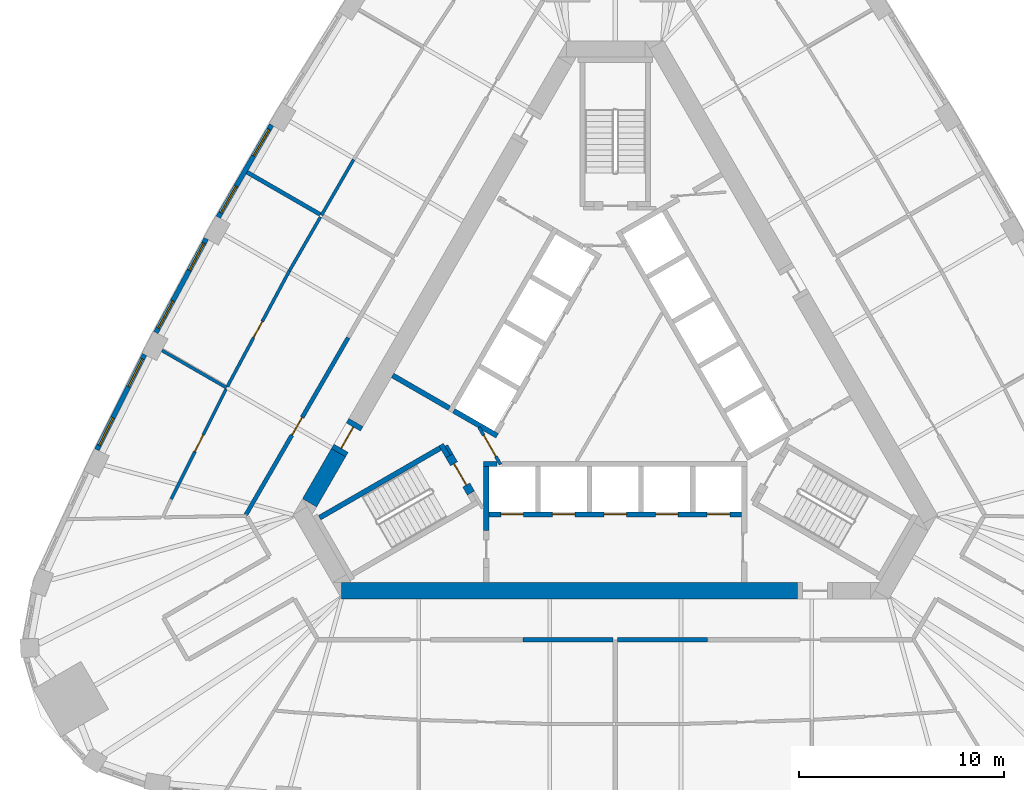
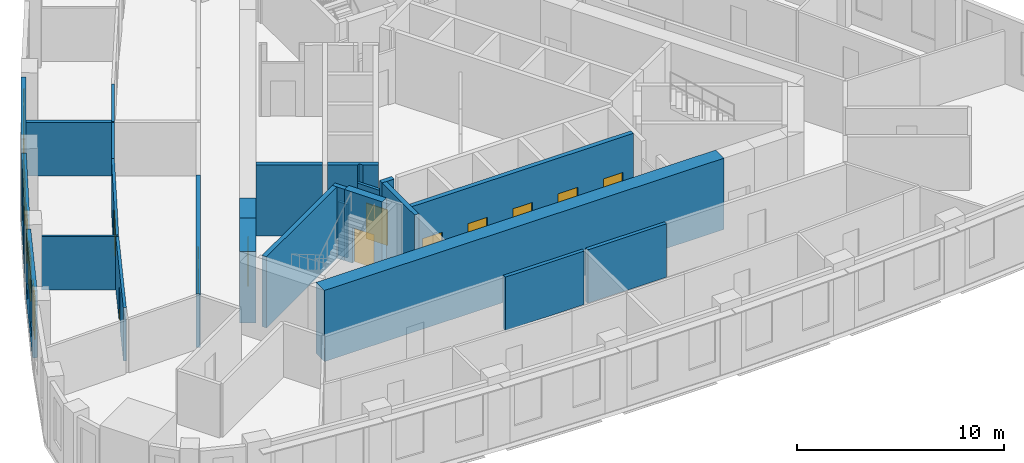
# One storey, part 4 of 10: 25 walls, 11 doors, 6 windows, 17 openings.
"""IFC4 building model written with IfcOpenShell, lengths in metres."""

import ifcopenshell
import ifcopenshell.guid

model = None  # the IFC model being written
_history = None  # IfcOwnerHistory: only IFC2X3 demands one
_inside = {}  # id of a spatial element -> (the spatial element, [elements in it])
_under = {}  # id of a project, library or spatial element -> (it, [spatial elements below it])
_declared = {}  # id of a project -> (the project, [libraries it declares])
_typed = {}  # id of a type object -> (the type object, [elements of that type])
_made_of = {}  # id of a material, layer set ... -> (it, [elements and type objects made of it])


def new_model(schema):
    """Start an empty IFC model of exactly this schema.

    Asked for "IFC4X3", IfcOpenShell would pick the latest addendum, in which some entities
    have other attributes; the version numbers below select the first issue.
    IFC2X3 requires an IfcOwnerHistory on every rooted entity: one is made here for all.
    """
    global model, _history
    if schema == "IFC4X3":
        model = ifcopenshell.file(schema_version=(4, 3, 0, 0))
    else:
        model = ifcopenshell.file(schema=schema)
    _inside.clear()
    _under.clear()
    _declared.clear()
    _typed.clear()
    _made_of.clear()
    _history = None
    if model.schema == "IFC2X3":
        org = make("IfcOrganization", Name="unknown")
        user = make(
            "IfcPersonAndOrganization",
            ThePerson=make("IfcPerson", FamilyName="unknown"),
            TheOrganization=org,
        )
        app = make(
            "IfcApplication",
            ApplicationDeveloper=org,
            Version="unknown",
            ApplicationFullName="unknown",
            ApplicationIdentifier="unknown",
        )
        _history = make(
            "IfcOwnerHistory",
            OwningUser=user,
            OwningApplication=app,
            ChangeAction="ADDED",
            CreationDate=0,
        )
    return model


def make(cls, **values):
    """One entity of the class cls with the attributes given. An attribute that is None is left unset."""
    return model.create_entity(
        cls, **{name: value for name, value in values.items() if value is not None}
    )


def rooted(cls, **values):
    """An entity with a GlobalId (a new one), such as an element, a storey or a relation."""
    return make(cls, GlobalId=ifcopenshell.guid.new(), OwnerHistory=_history, **values)


def si_unit(unit_type, name, prefix=None):
    """IfcSIUnit, for example si_unit("LENGTHUNIT", "METRE", prefix="MILLI")."""
    return make("IfcSIUnit", UnitType=unit_type, Prefix=prefix, Name=name)


def assignment(units):
    """IfcUnitAssignment: the units of a project."""
    return None if units is None else make("IfcUnitAssignment", Units=units)


def point(xyz):
    """IfcCartesianPoint."""
    return None if xyz is None else make("IfcCartesianPoint", Coordinates=xyz)


def direction(xyz):
    """IfcDirection."""
    return None if xyz is None else make("IfcDirection", DirectionRatios=xyz)


def frame(location, z_axis=None, x_axis=None):
    """IfcAxis2Placement3D, a coordinate frame: its origin and axes. An axis left out is left unset."""
    return make(
        "IfcAxis2Placement3D",
        Location=point(location),
        Axis=direction(z_axis),
        RefDirection=direction(x_axis),
    )


def frame_2d(location, x_axis=None):
    """IfcAxis2Placement2D, a coordinate frame in the plane: its origin and x axis."""
    return make(
        "IfcAxis2Placement2D", Location=point(location), RefDirection=direction(x_axis)
    )


def origin():
    """The frame at (0, 0, 0) with its axes left unset."""
    return frame((0.0, 0.0, 0.0))


def place(relative_to, where):
    """IfcLocalPlacement: puts the frame where relative to a parent placement (None: the world)."""
    return make(
        "IfcLocalPlacement", PlacementRelTo=relative_to, RelativePlacement=where
    )


def context(
    kind, dimensions, precision=None, world=None, true_north=None, identifier=None
):
    """IfcGeometricRepresentationContext, for example the 3D "Model" context."""
    return make(
        "IfcGeometricRepresentationContext",
        ContextIdentifier=identifier,
        ContextType=kind,
        CoordinateSpaceDimension=dimensions,
        Precision=precision,
        WorldCoordinateSystem=world,
        TrueNorth=true_north,
    )


def subcontext(parent, identifier, kind, view, scale=None):
    """IfcGeometricRepresentationSubContext, for example "Body" below "Model"."""
    return make(
        "IfcGeometricRepresentationSubContext",
        ContextIdentifier=identifier,
        ContextType=kind,
        ParentContext=parent,
        TargetScale=scale,
        TargetView=view,
    )


def project(units=None, contexts=None):
    """IfcProject with its units and contexts."""
    return rooted(
        "IfcProject",
        Name="project",
        RepresentationContexts=contexts,
        UnitsInContext=assignment(units),
    )


def spatial(cls, under=None, at=None, **own):
    """A site, building, storey or space (cls), placed at a placement, below another one or the project."""
    s = rooted(cls, ObjectPlacement=at, **own)
    if under is not None:
        _under.setdefault(under.id(), (under, []))[1].append(s)
    return s


def polyline(points):
    """IfcPolyline through the points."""
    return make("IfcPolyline", Points=[point(p) for p in points])


def profile(cls, at=None, kind="AREA", **sizes):
    """A parametric profile (cls). Its sizes go by their IFC names, for example OverallWidth=200.0."""
    return make(cls, ProfileType=kind, Position=at, **sizes)


def rectangle(**sizes):
    """IfcRectangleProfileDef."""
    return profile("IfcRectangleProfileDef", **sizes)


def outline(outer, holes=None, kind="AREA"):
    """IfcArbitraryClosedProfileDef: a profile drawn as a closed curve; with holes, ...WithVoids."""
    if holes is None:
        return make("IfcArbitraryClosedProfileDef", ProfileType=kind, OuterCurve=outer)
    return make(
        "IfcArbitraryProfileDefWithVoids",
        ProfileType=kind,
        OuterCurve=outer,
        InnerCurves=holes,
    )


def extrude(swept, where, along, depth):
    """IfcExtrudedAreaSolid: the profile swept, set in the frame where, extruded along a direction by depth."""
    return make(
        "IfcExtrudedAreaSolid",
        SweptArea=swept,
        Position=where,
        ExtrudedDirection=direction(along),
        Depth=depth,
    )


def shape(context_of_items, identifier, shape_type, items):
    """IfcShapeRepresentation: the items that make up one representation, for example the "Body"."""
    return make(
        "IfcShapeRepresentation",
        ContextOfItems=context_of_items,
        RepresentationIdentifier=identifier,
        RepresentationType=shape_type,
        Items=items,
    )


def material(Name=None, Category=None):
    """IfcMaterial."""
    return make("IfcMaterial", Name=Name, Category=Category)


def layer(
    of_material, thickness, ventilated=None, Name=None, Category=None, Priority=None
):
    """IfcMaterialLayer: one layer of a wall or slab, of a material (None: an air gap)."""
    return make(
        "IfcMaterialLayer",
        Material=of_material,
        LayerThickness=thickness,
        IsVentilated=ventilated,
        Name=Name,
        Category=Category,
        Priority=Priority,
    )


def layer_set(layers, Name=None):
    """IfcMaterialLayerSet."""
    return make("IfcMaterialLayerSet", MaterialLayers=layers, LayerSetName=Name)


def made_of(thing, what):
    """Note that an element or type object is made of a material, layer set ...; save() writes the relation."""
    if what is not None:
        _made_of.setdefault(what.id(), (what, []))[1].append(thing)
    return thing


def type_object(cls, material=None, **own):
    """A type object (cls), such as IfcWallType, which elements share."""
    return made_of(rooted(cls, **own), material)


def element(
    cls,
    number,
    at=None,
    inside=None,
    cuts=None,
    type_object=None,
    material=None,
    context=None,
    identifier="Body",
    shape_type=None,
    held_by="IfcProductDefinitionShape",
    body=None,
    shapes=None,
    **own,
):
    """One element of the class cls, such as IfcWall. Its Tag is "e" and its number.

    at: its placement. inside: the storey or other place that contains it. cuts: it is an
    opening in that element (IfcRelVoidsElement). A single representation is given by context,
    identifier, shape_type and body (its items); several are given by shapes. held_by: the class
    of the entity that holds the representations. save() writes the other relations.
    """
    e = rooted(cls, Tag="e%d" % number, ObjectPlacement=at, **own)
    if body is not None:
        shapes = [shape(context, identifier, shape_type, body)]
    if shapes is not None:
        e.Representation = make(held_by, Representations=shapes)
    if inside is not None:
        _inside.setdefault(inside.id(), (inside, []))[1].append(e)
    if cuts is not None:
        rooted(
            "IfcRelVoidsElement", RelatingBuildingElement=cuts, RelatedOpeningElement=e
        )
    if type_object is not None:
        _typed.setdefault(type_object.id(), (type_object, []))[1].append(e)
    return made_of(e, material)


def fill(opening, filler):
    """IfcRelFillsElement: the door or window that sits in an opening."""
    return rooted(
        "IfcRelFillsElement",
        RelatingOpeningElement=opening,
        RelatedBuildingElement=filler,
    )


def aggregate(whole, parts):
    """IfcRelAggregates: a whole, such as a stair, and the parts it consists of."""
    return rooted("IfcRelAggregates", RelatingObject=whole, RelatedObjects=parts)


def save(model, path):
    """Write the relations noted so far, then the file.

    IfcRelAggregates (storeys below a building ...), IfcRelContainedInSpatialStructure (elements
    in a storey), IfcRelDefinesByType, IfcRelAssociatesMaterial and IfcRelDeclares: one each for
    every whole, place, type object, material and project.
    """
    for whole, parts in _under.values():
        aggregate(whole, parts)
    for where, things in _inside.values():
        rooted(
            "IfcRelContainedInSpatialStructure",
            RelatedElements=things,
            RelatingStructure=where,
        )
    for kind, things in _typed.values():
        rooted("IfcRelDefinesByType", RelatedObjects=things, RelatingType=kind)
    for what, things in _made_of.values():
        rooted("IfcRelAssociatesMaterial", RelatedObjects=things, RelatingMaterial=what)
    for by, libraries in _declared.values():
        rooted("IfcRelDeclares", RelatingContext=by, RelatedDefinitions=libraries)
    model.write(path)


model = new_model("IFC4")

# Units and contexts
model_context = context("Model", 3, precision=1e-05, world=origin(), true_north=direction((0.0, 1.0)))
body_context = subcontext(model_context, "Body", "Model", "MODEL_VIEW")
ifc_project = project(units=[si_unit("LENGTHUNIT", "METRE"), si_unit("AREAUNIT", "SQUARE_METRE"), si_unit("VOLUMEUNIT", "CUBIC_METRE"), si_unit("PLANEANGLEUNIT", "RADIAN"), si_unit("MASSUNIT", "GRAM", prefix="KILO")], contexts=[model_context])

# Site, building, storey
site_placement = place(None, origin())
site = spatial("IfcSite", under=ifc_project, at=site_placement, CompositionType="ELEMENT")
building_placement = place(site_placement, origin())
building = spatial("IfcBuilding", under=site, at=building_placement, Name="Mestral Congress Tower", CompositionType="ELEMENT")
storey_placement = place(building_placement, frame((0.0, 0.0, 154.199951171875)))
storey = spatial("IfcBuildingStorey", under=building, at=storey_placement, Name="L36", CompositionType="ELEMENT", Elevation=154.199951171875)

# Wall
ifc_material_1 = material(Name="Fire-rated board partition")
ifc_layer_1 = layer(ifc_material_1, 0.14990234375)
ifc_layer_set_1 = layer_set([ifc_layer_1], Name="Fire-rated board partition")
wall_type_1 = type_object("IfcWallType", Name="Core partition 150", PredefinedType="PARTITIONING", material=ifc_layer_set_1)
wall_1_placement = place(storey_placement, frame((-8.251953125, -2.958251953125, 0.0), z_axis=(0.0, 0.0, 1.0), x_axis=(0.500174715838, -0.865924508047, 0.0)))
element("IfcWall", 1, at=wall_1_placement, inside=storey, type_object=wall_type_1, Name="L36 core wall", PredefinedType="PARTITIONING", context=body_context, shape_type="SweptSolid", body=[
    extrude(rectangle(XDim=0.513916015625, YDim=0.14990234375, at=frame_2d((0.2568359375, 0.0))), origin(), (0.0, 0.0, 1.0), 3.150146484375),
])

# Wall, opening, door
wall_2_placement = place(storey_placement, frame((-5.606201171875, -3.8896484375, 0.0), z_axis=(0.0, 0.0, 1.0), x_axis=(-0.500027713859, 0.866009402589, 0.0)))
wall_2 = element("IfcWall", 2, at=wall_2_placement, inside=storey, type_object=wall_type_1, Name="L36 door wall", PredefinedType="PARTITIONING", context=body_context, shape_type="SweptSolid", body=[
    extrude(rectangle(XDim=2.10009765625, YDim=0.14990234375, at=frame_2d((1.050048828125, 0.0))), origin(), (0.0, 0.0, 1.0), 3.150146484375),
])
opening_1_placement = place(wall_2_placement, frame((0.449951171875, 0.0, 0.0)))
opening_1 = element("IfcOpeningElement", 3, at=opening_1_placement, cuts=wall_2, Name="Opening CD3-FF", PredefinedType="OPENING", context=body_context, shape_type="SweptSolid", body=[
    extrude(rectangle(XDim=1.199951171875, YDim=2.10009765625, at=frame_2d((0.60009765625, 1.050048828125))), frame((0.0, 0.0849609375, 0.0), z_axis=(0.0, -1.0, 0.0), x_axis=(1.0, 0.0, 0.0)), (0.0, 0.0, 1.0), 0.169921875),
])
ifc_material_2 = material(Name="Fire-rated steel door set", Category="steel")
door_type_1 = type_object("IfcDoorType", Name="Core door CD 1200x2100", OperationType="SINGLE_SWING_LEFT", PredefinedType="DOOR", material=ifc_material_2)
door_1_placement = place(opening_1_placement, origin())
door_1 = element("IfcDoor", 4, at=door_1_placement, inside=storey, type_object=door_type_1, Name="Door CD3-FF", OperationType="SINGLE_SWING_LEFT", OverallHeight=2.10009765625, OverallWidth=1.199951171875, PredefinedType="DOOR", context=body_context, shape_type="SweptSolid", body=[
    extrude(rectangle(XDim=1.199951171875, YDim=2.10009765625, at=frame_2d((0.60009765625, 1.050048828125))), frame((0.0, 0.02490234375, 0.0), z_axis=(0.0, -1.0, 0.0), x_axis=(1.0, 0.0, 0.0)), (0.0, 0.0, 1.0), 0.050048828125),
])
fill(opening_1, door_1)

# Walls
ifc_material_3 = material(Name="Concrete C60/75", Category="concrete")
ifc_layer_2 = layer(ifc_material_3, 0.800048828125)
ifc_layer_set_2 = layer_set([ifc_layer_2], Name="Concrete C60/75")
wall_type_2 = type_object("IfcWallType", Name="Core wall RC 800", PredefinedType="SOLIDWALL", material=ifc_layer_set_2)
wall_3_placement = place(storey_placement, frame((-13.377685546875, -10.050048828125, 0.0), z_axis=(0.0, 0.0, 1.0), x_axis=(1.0, 0.0, 0.0)))
element("IfcWall", 5, at=wall_3_placement, inside=storey, type_object=wall_type_2, Name="L36 core wall", PredefinedType="SOLIDWALL", context=body_context, shape_type="SweptSolid", body=[
    extrude(rectangle(XDim=22.281982421875, YDim=0.800048828125, at=frame_2d((11.14111328125, 0.0))), origin(), (0.0, 0.0, 1.0), 4.199951171875),
])
wall_4_placement = place(storey_placement, frame((-13.518310546875, -3.314208984375, 0.0), z_axis=(0.0, 0.0, 1.0), x_axis=(-0.499969377405, -0.866043083026, 0.0)))
element("IfcWall", 6, at=wall_4_placement, inside=storey, type_object=wall_type_2, Name="L36 core wall", PredefinedType="SOLIDWALL", context=body_context, shape_type="SweptSolid", body=[
    extrude(rectangle(XDim=2.824462890625, YDim=0.800048828125, at=frame_2d((1.412109375, 0.0))), origin(), (0.0, 0.0, 1.0), 4.199951171875),
])

# Wall, opening, door
wall_5_placement = place(storey_placement, frame((-13.518310546875, -3.314208984375, 0.0), z_axis=(0.0, 0.0, 1.0), x_axis=(0.500062241894, 0.865989465428, 0.0)))
wall_5 = element("IfcWall", 7, at=wall_5_placement, inside=storey, type_object=wall_type_2, Name="L36 door wall", PredefinedType="SOLIDWALL", context=body_context, shape_type="SweptSolid", body=[
    extrude(rectangle(XDim=1.699951171875, YDim=0.800048828125, at=frame_2d((0.85009765625, 0.0))), origin(), (0.0, 0.0, 1.0), 4.199951171875),
])
opening_2_placement = place(wall_5_placement, frame((0.25, 0.0, 0.0)))
opening_2 = element("IfcOpeningElement", 8, at=opening_2_placement, cuts=wall_5, Name="Opening XD3", PredefinedType="OPENING", context=body_context, shape_type="SweptSolid", body=[
    extrude(rectangle(XDim=1.199951171875, YDim=2.10009765625, at=frame_2d((0.60009765625, 1.050048828125))), frame((0.0, 0.409912109375, 0.0), z_axis=(0.0, -1.0, 0.0), x_axis=(1.0, 0.0, 0.0)), (0.0, 0.0, 1.0), 0.820068359375),
])
door_type_2 = type_object("IfcDoorType", Name="Core door XD 1200x2100", OperationType="SINGLE_SWING_LEFT", PredefinedType="DOOR", material=ifc_material_2)
door_2_placement = place(opening_2_placement, origin())
door_2 = element("IfcDoor", 9, at=door_2_placement, inside=storey, type_object=door_type_2, Name="Door XD3", OperationType="SINGLE_SWING_LEFT", OverallHeight=2.10009765625, OverallWidth=1.199951171875, PredefinedType="DOOR", context=body_context, shape_type="SweptSolid", body=[
    extrude(rectangle(XDim=1.199951171875, YDim=2.10009765625, at=frame_2d((0.60009765625, 1.050048828125))), frame((0.0, 0.02490234375, 0.0), z_axis=(0.0, -1.0, 0.0), x_axis=(1.0, 0.0, 0.0)), (0.0, 0.0, 1.0), 0.050048828125),
])
fill(opening_2, door_2)

# Wall, openings, windows
ifc_material_4 = material(Name="Precast concrete C40/50 with limestone facing", Category="masonry")
ifc_layer_3 = layer(ifc_material_4, 0.239990234375)
ifc_layer_set_3 = layer_set([ifc_layer_3], Name="Precast concrete C40/50 with limestone facing")
wall_type_3 = type_object("IfcWallType", Name="Facade stone wall 240", PredefinedType="SOLIDWALL", material=ifc_layer_set_3)
wall_6_placement = place(storey_placement, frame((-16.788818359375, 12.697265625, 0.0), z_axis=(0.0, 0.0, 1.0), x_axis=(-0.500009456303, -0.866019944116, 0.0)))
wall_6 = element("IfcWall", 10, at=wall_6_placement, inside=storey, type_object=wall_type_3, Name="Facade wall F2-03", PredefinedType="SOLIDWALL", context=body_context, shape_type="SweptSolid", body=[
    extrude(rectangle(XDim=5.20361328125, YDim=0.239990234375, at=frame_2d((2.601806640625, 0.0))), origin(), (0.0, 0.0, 1.0), 3.949951171875),
])
opening_3_placement = place(wall_6_placement, frame((0.248291015625, 0.0, 0.89990234375)))
opening_3 = element("IfcOpeningElement", 11, at=opening_3_placement, cuts=wall_6, Name="Opening W4", PredefinedType="OPENING", context=body_context, shape_type="SweptSolid", body=[
    extrude(rectangle(XDim=1.5, YDim=2.550048828125, at=frame_2d((0.75, 1.27490234375))), frame((0.0, 0.1298828125, 0.0), z_axis=(0.0, -1.0, 0.0), x_axis=(1.0, 0.0, 0.0)), (0.0, 0.0, 1.0), 0.260009765625),
])
opening_4_placement = place(wall_6_placement, frame((3.455078125, 0.0, 0.89990234375)))
opening_4 = element("IfcOpeningElement", 12, at=opening_4_placement, cuts=wall_6, Name="Opening W4", PredefinedType="OPENING", context=body_context, shape_type="SweptSolid", body=[
    extrude(rectangle(XDim=1.5, YDim=2.550048828125, at=frame_2d((0.75, 1.27490234375))), frame((0.0, 0.1298828125, 0.0), z_axis=(0.0, -1.0, 0.0), x_axis=(1.0, 0.0, 0.0)), (0.0, 0.0, 1.0), 0.260009765625),
])
ifc_material_5 = material(Name="Clear low-emissivity double glazing", Category="glass")
window_type = type_object("IfcWindowType", Name="Facade punched window 1500 x 2550 sill 900", PartitioningType="SINGLE_PANEL", PredefinedType="WINDOW", material=ifc_material_5)
window_1_placement = place(opening_3_placement, origin())
window_1 = element("IfcWindow", 13, at=window_1_placement, inside=storey, type_object=window_type, Name="Window F2-03a", OverallHeight=2.550048828125, OverallWidth=1.5, PartitioningType="SINGLE_PANEL", PredefinedType="WINDOW", context=body_context, shape_type="SweptSolid", body=[
    extrude(rectangle(XDim=1.5, YDim=2.550048828125, at=frame_2d((0.75, 1.27490234375))), frame((0.0, 0.0400390625, 0.0), z_axis=(0.0, -1.0, 0.0), x_axis=(1.0, 0.0, 0.0)), (0.0, 0.0, 1.0), 0.06005859375),
])
fill(opening_3, window_1)
window_2_placement = place(opening_4_placement, origin())
window_2 = element("IfcWindow", 14, at=window_2_placement, inside=storey, type_object=window_type, Name="Window F2-03b", OverallHeight=2.550048828125, OverallWidth=1.5, PartitioningType="SINGLE_PANEL", PredefinedType="WINDOW", context=body_context, shape_type="SweptSolid", body=[
    extrude(rectangle(XDim=1.5, YDim=2.550048828125, at=frame_2d((0.75, 1.27490234375))), frame((0.0, 0.0400390625, 0.0), z_axis=(0.0, -1.0, 0.0), x_axis=(1.0, 0.0, 0.0)), (0.0, 0.0, 1.0), 0.06005859375),
])
fill(opening_4, window_2)

wall_7_placement = place(storey_placement, frame((-19.976806640625, 7.138671875, 0.0), z_axis=(0.0, 0.0, 1.0), x_axis=(-0.473349833294, -0.880874528704, 0.0)))
wall_7 = element("IfcWall", 15, at=wall_7_placement, inside=storey, type_object=wall_type_3, Name="Facade wall F2-04", PredefinedType="SOLIDWALL", context=body_context, shape_type="SweptSolid", body=[
    extrude(rectangle(XDim=5.20361328125, YDim=0.239990234375, at=frame_2d((2.601806640625, 0.0))), origin(), (0.0, 0.0, 1.0), 3.949951171875),
])
opening_5_placement = place(wall_7_placement, frame((0.248291015625, 0.0, 0.89990234375)))
opening_5 = element("IfcOpeningElement", 16, at=opening_5_placement, cuts=wall_7, Name="Opening W4", PredefinedType="OPENING", context=body_context, shape_type="SweptSolid", body=[
    extrude(rectangle(XDim=1.5, YDim=2.550048828125, at=frame_2d((0.75, 1.27490234375))), frame((0.0, 0.1298828125, 0.0), z_axis=(0.0, -1.0, 0.0), x_axis=(1.0, 0.0, 0.0)), (0.0, 0.0, 1.0), 0.260009765625),
])
opening_6_placement = place(wall_7_placement, frame((3.455078125, 0.0, 0.89990234375)))
opening_6 = element("IfcOpeningElement", 17, at=opening_6_placement, cuts=wall_7, Name="Opening W4", PredefinedType="OPENING", context=body_context, shape_type="SweptSolid", body=[
    extrude(rectangle(XDim=1.5, YDim=2.550048828125, at=frame_2d((0.75, 1.27490234375))), frame((0.0, 0.1298828125, 0.0), z_axis=(0.0, -1.0, 0.0), x_axis=(1.0, 0.0, 0.0)), (0.0, 0.0, 1.0), 0.260009765625),
])
window_3_placement = place(opening_5_placement, origin())
window_3 = element("IfcWindow", 18, at=window_3_placement, inside=storey, type_object=window_type, Name="Window F2-04a", OverallHeight=2.550048828125, OverallWidth=1.5, PartitioningType="SINGLE_PANEL", PredefinedType="WINDOW", context=body_context, shape_type="SweptSolid", body=[
    extrude(rectangle(XDim=1.5, YDim=2.550048828125, at=frame_2d((0.75, 1.27490234375))), frame((0.0, 0.0400390625, 0.0), z_axis=(0.0, -1.0, 0.0), x_axis=(1.0, 0.0, 0.0)), (0.0, 0.0, 1.0), 0.06005859375),
])
fill(opening_5, window_3)
window_4_placement = place(opening_6_placement, origin())
window_4 = element("IfcWindow", 19, at=window_4_placement, inside=storey, type_object=window_type, Name="Window F2-04b", OverallHeight=2.550048828125, OverallWidth=1.5, PartitioningType="SINGLE_PANEL", PredefinedType="WINDOW", context=body_context, shape_type="SweptSolid", body=[
    extrude(rectangle(XDim=1.5, YDim=2.550048828125, at=frame_2d((0.75, 1.27490234375))), frame((0.0, 0.0400390625, 0.0), z_axis=(0.0, -1.0, 0.0), x_axis=(1.0, 0.0, 0.0)), (0.0, 0.0, 1.0), 0.06005859375),
])
fill(opening_6, window_4)

wall_8_placement = place(storey_placement, frame((-22.993896484375, 1.485107421875, 0.0), z_axis=(0.0, 0.0, 1.0), x_axis=(-0.446256171312, -0.8949052629, 0.0)))
wall_8 = element("IfcWall", 20, at=wall_8_placement, inside=storey, type_object=wall_type_3, Name="Facade wall F2-05", PredefinedType="SOLIDWALL", context=body_context, shape_type="SweptSolid", body=[
    extrude(rectangle(XDim=5.203369140625, YDim=0.239990234375, at=frame_2d((2.6015625, 0.0))), origin(), (0.0, 0.0, 1.0), 3.949951171875),
])
opening_7_placement = place(wall_8_placement, frame((0.248291015625, 0.0, 0.89990234375)))
opening_7 = element("IfcOpeningElement", 21, at=opening_7_placement, cuts=wall_8, Name="Opening W4", PredefinedType="OPENING", context=body_context, shape_type="SweptSolid", body=[
    extrude(rectangle(XDim=1.5, YDim=2.550048828125, at=frame_2d((0.75, 1.27490234375))), frame((0.0, 0.1298828125, 0.0), z_axis=(0.0, -1.0, 0.0), x_axis=(1.0, 0.0, 0.0)), (0.0, 0.0, 1.0), 0.260009765625),
])
opening_8_placement = place(wall_8_placement, frame((3.455078125, 0.0, 0.89990234375)))
opening_8 = element("IfcOpeningElement", 22, at=opening_8_placement, cuts=wall_8, Name="Opening W4", PredefinedType="OPENING", context=body_context, shape_type="SweptSolid", body=[
    extrude(rectangle(XDim=1.5, YDim=2.550048828125, at=frame_2d((0.75, 1.27490234375))), frame((0.0, 0.1298828125, 0.0), z_axis=(0.0, -1.0, 0.0), x_axis=(1.0, 0.0, 0.0)), (0.0, 0.0, 1.0), 0.260009765625),
])
window_5_placement = place(opening_7_placement, origin())
window_5 = element("IfcWindow", 23, at=window_5_placement, inside=storey, type_object=window_type, Name="Window F2-05a", OverallHeight=2.550048828125, OverallWidth=1.5, PartitioningType="SINGLE_PANEL", PredefinedType="WINDOW", context=body_context, shape_type="SweptSolid", body=[
    extrude(rectangle(XDim=1.5, YDim=2.550048828125, at=frame_2d((0.75, 1.27490234375))), frame((0.0, 0.0400390625, 0.0), z_axis=(0.0, -1.0, 0.0), x_axis=(1.0, 0.0, 0.0)), (0.0, 0.0, 1.0), 0.06005859375),
])
fill(opening_7, window_5)
window_6_placement = place(opening_8_placement, origin())
window_6 = element("IfcWindow", 24, at=window_6_placement, inside=storey, type_object=window_type, Name="Window F2-05b", OverallHeight=2.550048828125, OverallWidth=1.5, PartitioningType="SINGLE_PANEL", PredefinedType="WINDOW", context=body_context, shape_type="SweptSolid", body=[
    extrude(rectangle(XDim=1.5, YDim=2.550048828125, at=frame_2d((0.75, 1.27490234375))), frame((0.0, 0.0400390625, 0.0), z_axis=(0.0, -1.0, 0.0), x_axis=(1.0, 0.0, 0.0)), (0.0, 0.0, 1.0), 0.06005859375),
])
fill(opening_8, window_6)

# Walls
ifc_material_6 = material(Name="Plasterboard partition on steel studs", Category="steel")
ifc_layer_4 = layer(ifc_material_6, 0.14990234375)
ifc_layer_set_4 = layer_set([ifc_layer_4], Name="Plasterboard partition on steel studs")
wall_type_4 = type_object("IfcWallType", Name="Office partition 150", PredefinedType="PARTITIONING", material=ifc_layer_set_4)
wall_9_placement = place(storey_placement, frame((-12.779296875, 11.001953125, 0.0), z_axis=(0.0, 0.0, 1.0), x_axis=(-0.499996312652, -0.866027532665, 0.0)))
element("IfcWall", 25, at=wall_9_placement, inside=storey, type_object=wall_type_4, Name="Partition", PredefinedType="PARTITIONING", context=body_context, shape_type="SweptSolid", body=[
    extrude(rectangle(XDim=3.13818359375, YDim=0.14990234375, at=frame_2d((1.569091796875, 0.0))), origin(), (0.0, 0.0, 1.0), 3.150146484375),
])
wall_10_placement = place(storey_placement, frame((-18.980224609375, -0.146728515625, 0.0), z_axis=(0.0, 0.0, 1.0), x_axis=(-0.866035116605, 0.499983176524, 0.0)))
element("IfcWall", 26, at=wall_10_placement, inside=storey, type_object=wall_type_4, Name="Partition", PredefinedType="PARTITIONING", context=body_context, shape_type="SweptSolid", body=[
    extrude(rectangle(XDim=3.647705078125, YDim=0.14990234375, at=frame_2d((1.82373046875, 0.0))), origin(), (0.0, 0.0, 1.0), 3.150146484375),
])
wall_11_placement = place(storey_placement, frame((-14.3984375, 8.197509765625, 0.0), z_axis=(0.0, 0.0, 1.0), x_axis=(-0.499993740961, -0.866029017412, 0.0)))
element("IfcWall", 27, at=wall_11_placement, inside=storey, type_object=wall_type_4, Name="Partition", PredefinedType="PARTITIONING", context=body_context, shape_type="SweptSolid", body=[
    extrude(rectangle(XDim=3.0380859375, YDim=0.14990234375, at=frame_2d((1.51904296875, 0.0))), origin(), (0.0, 0.0, 1.0), 3.150146484375),
])

# Wall, opening, door
wall_12_placement = place(storey_placement, frame((-18.94482421875, -0.08056640625, 0.0), z_axis=(0.0, 0.0, 1.0), x_axis=(0.472485737981, 0.881338316088, 0.0)))
wall_12 = element("IfcWall", 28, at=wall_12_placement, inside=storey, type_object=wall_type_4, Name="Partition", PredefinedType="PARTITIONING", context=body_context, shape_type="SweptSolid", body=[
    extrude(rectangle(XDim=6.4072265625, YDim=0.14990234375, at=frame_2d((3.20361328125, 0.0))), origin(), (0.0, 0.0, 1.0), 3.150146484375),
])
opening_9_placement = place(wall_12_placement, frame((2.70703125, 0.0, 0.0)))
opening_9 = element("IfcOpeningElement", 29, at=opening_9_placement, cuts=wall_12, Name="Opening O02-015", PredefinedType="OPENING", context=body_context, shape_type="SweptSolid", body=[
    extrude(rectangle(XDim=0.89990234375, YDim=2.10009765625, at=frame_2d((0.449951171875, 1.050048828125))), frame((0.0, 0.0849609375, 0.0), z_axis=(0.0, -1.0, 0.0), x_axis=(1.0, 0.0, 0.0)), (0.0, 0.0, 1.0), 0.169921875),
])
ifc_material_7 = material(Name="Timber door set", Category="wood")
door_type_3 = type_object("IfcDoorType", Name="Office door 900x2100", OperationType="SINGLE_SWING_LEFT", PredefinedType="DOOR", material=ifc_material_7)
door_3_placement = place(opening_9_placement, origin())
door_3 = element("IfcDoor", 30, at=door_3_placement, inside=storey, type_object=door_type_3, Name="Door O02-015", OperationType="SINGLE_SWING_LEFT", OverallHeight=2.10009765625, OverallWidth=0.89990234375, PredefinedType="DOOR", context=body_context, shape_type="SweptSolid", body=[
    extrude(rectangle(XDim=0.89990234375, YDim=2.10009765625, at=frame_2d((0.449951171875, 1.050048828125))), frame((0.0, 0.02490234375, 0.0), z_axis=(0.0, -1.0, 0.0), x_axis=(1.0, 0.0, 0.0)), (0.0, 0.0, 1.0), 0.050048828125),
])
fill(opening_9, door_3)

wall_13_placement = place(storey_placement, frame((-21.689208984375, -5.579345703125, 0.0), z_axis=(0.0, 0.0, 1.0), x_axis=(0.446219729364, 0.894923434225, 0.0)))
wall_13 = element("IfcWall", 31, at=wall_13_placement, inside=storey, type_object=wall_type_4, Name="Partition", PredefinedType="PARTITIONING", context=body_context, shape_type="SweptSolid", body=[
    extrude(rectangle(XDim=5.995361328125, YDim=0.14990234375, at=frame_2d((2.99755859375, 0.0))), origin(), (0.0, 0.0, 1.0), 3.150146484375),
])
opening_10_placement = place(wall_13_placement, frame((2.595458984375, 0.0, 0.0)))
opening_10 = element("IfcOpeningElement", 32, at=opening_10_placement, cuts=wall_13, Name="Opening O02-016", PredefinedType="OPENING", context=body_context, shape_type="SweptSolid", body=[
    extrude(rectangle(XDim=0.89990234375, YDim=2.10009765625, at=frame_2d((0.449951171875, 1.050048828125))), frame((0.0, 0.0849609375, 0.0), z_axis=(0.0, -1.0, 0.0), x_axis=(1.0, 0.0, 0.0)), (0.0, 0.0, 1.0), 0.169921875),
])
door_4_placement = place(opening_10_placement, origin())
door_4 = element("IfcDoor", 33, at=door_4_placement, inside=storey, type_object=door_type_3, Name="Door O02-016", OperationType="SINGLE_SWING_RIGHT", OverallHeight=2.10009765625, OverallWidth=0.89990234375, PredefinedType="DOOR", context=body_context, shape_type="SweptSolid", body=[
    extrude(rectangle(XDim=0.89990234375, YDim=2.10009765625, at=frame_2d((0.449951171875, 1.050048828125))), frame((0.0, 0.02490234375, 0.0), z_axis=(0.0, -1.0, 0.0), x_axis=(1.0, 0.0, 0.0)), (0.0, 0.0, 1.0), 0.050048828125),
])
fill(opening_10, door_4)

# Walls
ifc_material_8 = material(Name="Dense masonry wall, plastered", Category="masonry")
ifc_layer_5 = layer(ifc_material_8, 0.199951171875)
ifc_layer_set_5 = layer_set([ifc_layer_5], Name="Dense masonry wall, plastered")
wall_type_5 = type_object("IfcWallType", Name="Office tenancy wall 200", PredefinedType="PARTITIONING", material=ifc_layer_set_5)
wall_14_placement = place(storey_placement, frame((0.10009765625, -12.449951171875, 0.0), z_axis=(0.0, 0.0, 1.0), x_axis=(1.0, 0.0, 0.0)))
element("IfcWall", 34, at=wall_14_placement, inside=storey, type_object=wall_type_5, Name="Tenancy wall", PredefinedType="PARTITIONING", context=body_context, shape_type="SweptSolid", body=[
    extrude(rectangle(XDim=4.39990234375, YDim=0.199951171875, at=frame_2d((2.199951171875, 0.0))), origin(), (0.0, 0.0, 1.0), 3.150146484375),
])
wall_15_placement = place(storey_placement, frame((-14.413330078125, 8.321533203125, 0.0), z_axis=(0.0, 0.0, 1.0), x_axis=(-0.866034795751, 0.499983732284, 0.0)))
element("IfcWall", 35, at=wall_15_placement, inside=storey, type_object=wall_type_5, Name="Tenancy wall", PredefinedType="PARTITIONING", context=body_context, shape_type="SweptSolid", body=[
    extrude(rectangle(XDim=4.125244140625, YDim=0.199951171875, at=frame_2d((2.0625, 0.0))), origin(), (0.0, 0.0, 1.0), 3.150146484375),
])

# Wall, opening, door
wall_16_placement = place(storey_placement, frame((-13.047119140625, 2.302001953125, 0.0), z_axis=(0.0, 0.0, 1.0), x_axis=(-0.499986873641, -0.866032982159, 0.0)))
wall_16 = element("IfcWall", 36, at=wall_16_placement, inside=storey, type_object=wall_type_5, Name="Tenancy wall", PredefinedType="PARTITIONING", context=body_context, shape_type="SweptSolid", body=[
    extrude(rectangle(XDim=9.990478515625, YDim=0.199951171875, at=frame_2d((4.9951171875, 0.0))), origin(), (0.0, 0.0, 1.0), 3.150146484375),
])
opening_11_placement = place(wall_16_placement, frame((4.5, 0.0, 0.0)))
opening_11 = element("IfcOpeningElement", 37, at=opening_11_placement, cuts=wall_16, Name="Opening O02-017", PredefinedType="OPENING", context=body_context, shape_type="SweptSolid", body=[
    extrude(rectangle(XDim=1.0, YDim=2.10009765625, at=frame_2d((0.5, 1.050048828125))), frame((0.0, 0.10986328125, 0.0), z_axis=(0.0, -1.0, 0.0), x_axis=(1.0, 0.0, 0.0)), (0.0, 0.0, 1.0), 0.219970703125),
])
ifc_material_9 = material(Name="Fire-rated timber door set", Category="wood")
door_type_4 = type_object("IfcDoorType", Name="Office tenancy entrance door 1000x2100", OperationType="SINGLE_SWING_LEFT", PredefinedType="DOOR", material=ifc_material_9)
door_5_placement = place(opening_11_placement, origin())
door_5 = element("IfcDoor", 38, at=door_5_placement, inside=storey, type_object=door_type_4, Name="Door O02-017", OperationType="SINGLE_SWING_RIGHT", OverallHeight=2.10009765625, OverallWidth=1.0, PredefinedType="DOOR", context=body_context, shape_type="SweptSolid", body=[
    extrude(rectangle(XDim=1.0, YDim=2.10009765625, at=frame_2d((0.5, 1.050048828125))), frame((0.0, 0.02490234375, 0.0), z_axis=(0.0, -1.0, 0.0), x_axis=(1.0, 0.0, 0.0)), (0.0, 0.0, 1.0), 0.050048828125),
])
fill(opening_11, door_5)

# Walls
wall_17_placement = place(storey_placement, frame((-4.5, -12.449951171875, 0.0), z_axis=(0.0, 0.0, 1.0), x_axis=(1.0, 0.0, 0.0)))
element("IfcWall", 39, at=wall_17_placement, inside=storey, type_object=wall_type_5, Name="Tenancy wall", PredefinedType="PARTITIONING", context=body_context, shape_type="SweptSolid", body=[
    extrude(rectangle(XDim=4.39990234375, YDim=0.199951171875, at=frame_2d((2.199951171875, 0.0))), origin(), (0.0, 0.0, 1.0), 3.150146484375),
])
ifc_layer_6 = layer(ifc_material_3, 0.25)
ifc_layer_set_6 = layer_set([ifc_layer_6], Name="Concrete C60/75")
wall_type_6 = type_object("IfcWallType", Name="Shaft wall RC 250", PredefinedType="SOLIDWALL", material=ifc_layer_set_6)
wall_18_placement = place(storey_placement, frame((-6.425048828125, -3.875, 0.0), z_axis=(0.0, 0.0, 1.0), x_axis=(1.0, 0.0, 0.0)))
element("IfcWall", 40, at=wall_18_placement, inside=storey, type_object=wall_type_6, Name="L36 core wall", PredefinedType="SOLIDWALL", context=body_context, shape_type="SweptSolid", body=[
    extrude(rectangle(XDim=0.657958984375, YDim=0.25, at=frame_2d((0.3291015625, 0.0))), origin(), (0.0, 0.0, 1.0), 4.199951171875),
])
wall_19_placement = place(storey_placement, frame((-6.300048828125, -7.12451171875, 0.0), z_axis=(0.0, 0.0, 1.0), x_axis=(0.0, 1.0, 0.0)))
element("IfcWall", 41, at=wall_19_placement, inside=storey, type_object=wall_type_6, Name="L36 core wall", PredefinedType="SOLIDWALL", context=body_context, shape_type="SweptSolid", body=[
    extrude(rectangle(XDim=3.12451171875, YDim=0.25, at=frame_2d((1.562255859375, 0.0))), origin(), (0.0, 0.0, 1.0), 4.199951171875),
])
wall_20_placement = place(storey_placement, origin())
element("IfcWall", 42, at=wall_20_placement, inside=storey, type_object=wall_type_6, Name="L36 core wall", PredefinedType="SOLIDWALL", context=body_context, shape_type="SweptSolid", body=[
    extrude(outline(polyline([(-5.921630859375, -2.256591796875), (-5.921630859375, -2.256591796875), (-5.705078125, -2.381591796875), (-5.830078125, -2.597900390625), (-6.48291015625, -2.22119140625), (-6.59130859375, -2.033447265625), (-6.59130859375, -2.033447265625), (-6.69970703125, -2.095947265625), (-7.951904296875, -1.373046875), (-7.826904296875, -1.156494140625), (-5.921630859375, -2.256591796875)])), origin(), (0.0, 0.0, 1.0), 4.199951171875),
])
wall_21_placement = place(storey_placement, frame((-8.10595703125, -1.139892578125, 0.0), z_axis=(0.0, 0.0, 1.0), x_axis=(-0.866008981251, 0.500028443584, 0.0)))
element("IfcWall", 43, at=wall_21_placement, inside=storey, type_object=wall_type_6, Name="L36 core wall", PredefinedType="SOLIDWALL", context=body_context, shape_type="SweptSolid", body=[
    extrude(rectangle(XDim=3.199951171875, YDim=0.25, at=frame_2d((1.60009765625, 0.0))), origin(), (0.0, 0.0, 1.0), 4.199951171875),
])

# Wall, openings, doors
wall_22_placement = place(storey_placement, frame((-6.175048828125, -6.324951171875, 0.0), z_axis=(0.0, 0.0, 1.0), x_axis=(1.0, 0.0, 0.0)))
wall_22 = element("IfcWall", 44, at=wall_22_placement, inside=storey, type_object=wall_type_6, Name="L36 door wall", PredefinedType="SOLIDWALL", context=body_context, shape_type="SweptSolid", body=[
    extrude(rectangle(XDim=12.35009765625, YDim=0.25, at=frame_2d((6.175048828125, 0.0))), origin(), (0.0, 0.0, 1.0), 4.199951171875),
])
opening_12_placement = place(wall_22_placement, frame((0.5849609375, 0.0, 0.0)))
opening_12 = element("IfcOpeningElement", 45, at=opening_12_placement, cuts=wall_22, Name="Opening LD-SOB1", PredefinedType="OPENING", context=body_context, shape_type="SweptSolid", body=[
    extrude(rectangle(XDim=1.10009765625, YDim=2.10009765625, at=frame_2d((0.550048828125, 1.050048828125))), frame((0.0, 0.135009765625, 0.0), z_axis=(0.0, -1.0, 0.0), x_axis=(1.0, 0.0, 0.0)), (0.0, 0.0, 1.0), 0.27001953125),
])
opening_13_placement = place(wall_22_placement, frame((3.10498046875, 0.0, 0.0)))
opening_13 = element("IfcOpeningElement", 46, at=opening_13_placement, cuts=wall_22, Name="Opening LD-SOB2", PredefinedType="OPENING", context=body_context, shape_type="SweptSolid", body=[
    extrude(rectangle(XDim=1.10009765625, YDim=2.10009765625, at=frame_2d((0.550048828125, 1.050048828125))), frame((0.0, 0.135009765625, 0.0), z_axis=(0.0, -1.0, 0.0), x_axis=(1.0, 0.0, 0.0)), (0.0, 0.0, 1.0), 0.27001953125),
])
opening_14_placement = place(wall_22_placement, frame((5.625, 0.0, 0.0)))
opening_14 = element("IfcOpeningElement", 47, at=opening_14_placement, cuts=wall_22, Name="Opening LD-SOB3", PredefinedType="OPENING", context=body_context, shape_type="SweptSolid", body=[
    extrude(rectangle(XDim=1.10009765625, YDim=2.10009765625, at=frame_2d((0.550048828125, 1.050048828125))), frame((0.0, 0.135009765625, 0.0), z_axis=(0.0, -1.0, 0.0), x_axis=(1.0, 0.0, 0.0)), (0.0, 0.0, 1.0), 0.27001953125),
])
opening_15_placement = place(wall_22_placement, frame((8.14501953125, 0.0, 0.0)))
opening_15 = element("IfcOpeningElement", 48, at=opening_15_placement, cuts=wall_22, Name="Opening LD-SOB4", PredefinedType="OPENING", context=body_context, shape_type="SweptSolid", body=[
    extrude(rectangle(XDim=1.10009765625, YDim=2.10009765625, at=frame_2d((0.550048828125, 1.050048828125))), frame((0.0, 0.135009765625, 0.0), z_axis=(0.0, -1.0, 0.0), x_axis=(1.0, 0.0, 0.0)), (0.0, 0.0, 1.0), 0.27001953125),
])
opening_16_placement = place(wall_22_placement, frame((10.6650390625, 0.0, 0.0)))
opening_16 = element("IfcOpeningElement", 49, at=opening_16_placement, cuts=wall_22, Name="Opening LD-SOB5", PredefinedType="OPENING", context=body_context, shape_type="SweptSolid", body=[
    extrude(rectangle(XDim=1.10009765625, YDim=2.10009765625, at=frame_2d((0.550048828125, 1.050048828125))), frame((0.0, 0.135009765625, 0.0), z_axis=(0.0, -1.0, 0.0), x_axis=(1.0, 0.0, 0.0)), (0.0, 0.0, 1.0), 0.27001953125),
])
door_type_5 = type_object("IfcDoorType", Name="Core door LD 1100x2100", OperationType="DOUBLE_DOOR_SLIDING", PredefinedType="DOOR", material=ifc_material_2)
door_6_placement = place(opening_12_placement, origin())
door_6 = element("IfcDoor", 50, at=door_6_placement, inside=storey, type_object=door_type_5, Name="Door LD-SOB1", OperationType="DOUBLE_DOOR_SLIDING", OverallHeight=2.10009765625, OverallWidth=1.10009765625, PredefinedType="DOOR", context=body_context, shape_type="SweptSolid", body=[
    extrude(rectangle(XDim=1.10009765625, YDim=2.10009765625, at=frame_2d((0.550048828125, 1.050048828125))), frame((0.0, 0.02490234375, 0.0), z_axis=(0.0, -1.0, 0.0), x_axis=(1.0, 0.0, 0.0)), (0.0, 0.0, 1.0), 0.050048828125),
])
fill(opening_12, door_6)
door_7_placement = place(opening_13_placement, origin())
door_7 = element("IfcDoor", 51, at=door_7_placement, inside=storey, type_object=door_type_5, Name="Door LD-SOB2", OperationType="DOUBLE_DOOR_SLIDING", OverallHeight=2.10009765625, OverallWidth=1.10009765625, PredefinedType="DOOR", context=body_context, shape_type="SweptSolid", body=[
    extrude(rectangle(XDim=1.10009765625, YDim=2.10009765625, at=frame_2d((0.550048828125, 1.050048828125))), frame((0.0, 0.02490234375, 0.0), z_axis=(0.0, -1.0, 0.0), x_axis=(1.0, 0.0, 0.0)), (0.0, 0.0, 1.0), 0.050048828125),
])
fill(opening_13, door_7)
door_8_placement = place(opening_14_placement, origin())
door_8 = element("IfcDoor", 52, at=door_8_placement, inside=storey, type_object=door_type_5, Name="Door LD-SOB3", OperationType="DOUBLE_DOOR_SLIDING", OverallHeight=2.10009765625, OverallWidth=1.10009765625, PredefinedType="DOOR", context=body_context, shape_type="SweptSolid", body=[
    extrude(rectangle(XDim=1.10009765625, YDim=2.10009765625, at=frame_2d((0.550048828125, 1.050048828125))), frame((0.0, 0.02490234375, 0.0), z_axis=(0.0, -1.0, 0.0), x_axis=(1.0, 0.0, 0.0)), (0.0, 0.0, 1.0), 0.050048828125),
])
fill(opening_14, door_8)
door_9_placement = place(opening_15_placement, origin())
door_9 = element("IfcDoor", 53, at=door_9_placement, inside=storey, type_object=door_type_5, Name="Door LD-SOB4", OperationType="DOUBLE_DOOR_SLIDING", OverallHeight=2.10009765625, OverallWidth=1.10009765625, PredefinedType="DOOR", context=body_context, shape_type="SweptSolid", body=[
    extrude(rectangle(XDim=1.10009765625, YDim=2.10009765625, at=frame_2d((0.550048828125, 1.050048828125))), frame((0.0, 0.02490234375, 0.0), z_axis=(0.0, -1.0, 0.0), x_axis=(1.0, 0.0, 0.0)), (0.0, 0.0, 1.0), 0.050048828125),
])
fill(opening_15, door_9)
door_10_placement = place(opening_16_placement, origin())
door_10 = element("IfcDoor", 54, at=door_10_placement, inside=storey, type_object=door_type_5, Name="Door LD-SOB5", OperationType="DOUBLE_DOOR_SLIDING", OverallHeight=2.10009765625, OverallWidth=1.10009765625, PredefinedType="DOOR", context=body_context, shape_type="SweptSolid", body=[
    extrude(rectangle(XDim=1.10009765625, YDim=2.10009765625, at=frame_2d((0.550048828125, 1.050048828125))), frame((0.0, 0.02490234375, 0.0), z_axis=(0.0, -1.0, 0.0), x_axis=(1.0, 0.0, 0.0)), (0.0, 0.0, 1.0), 0.050048828125),
])
fill(opening_16, door_10)

# Walls
ifc_layer_7 = layer(ifc_material_3, 0.25)
ifc_layer_set_7 = layer_set([ifc_layer_7], Name="Concrete C60/75")
wall_type_7 = type_object("IfcWallType", Name="Stair wall RC 250", PredefinedType="SOLIDWALL", material=ifc_layer_set_7)
wall_23_placement = place(storey_placement, frame((-14.43994140625, -6.489501953125, 0.0), z_axis=(0.0, 0.0, 1.0), x_axis=(0.866022966069, 0.500004222222, 0.0)))
element("IfcWall", 55, at=wall_23_placement, inside=storey, type_object=wall_type_7, Name="L36 core wall", PredefinedType="SOLIDWALL", context=body_context, shape_type="SweptSolid", body=[
    extrude(rectangle(XDim=6.80029296875, YDim=0.25, at=frame_2d((3.400146484375, 0.0))), origin(), (0.0, 0.0, 1.0), 4.199951171875),
])
wall_24_placement = place(storey_placement, frame((-8.167724609375, -3.503173828125, 0.0), z_axis=(0.0, 0.0, 1.0), x_axis=(-0.499952099219, 0.866053057547, 0.0)))
element("IfcWall", 56, at=wall_24_placement, inside=storey, type_object=wall_type_7, Name="L36 core wall", PredefinedType="SOLIDWALL", context=body_context, shape_type="SweptSolid", body=[
    extrude(rectangle(XDim=0.6748046875, YDim=0.25, at=frame_2d((0.33740234375, 0.0))), origin(), (0.0, 0.0, 1.0), 4.199951171875),
])

# Wall, opening, door
ifc_layer_8 = layer(ifc_material_3, 0.39990234375)
ifc_layer_set_8 = layer_set([ifc_layer_8], Name="Concrete C60/75")
wall_type_8 = type_object("IfcWallType", Name="Stair wall RC 250 door-wall 400", PredefinedType="SOLIDWALL", material=ifc_layer_set_8)
wall_25_placement = place(storey_placement, frame((-8.102783203125, -3.4658203125, 0.0), z_axis=(0.0, 0.0, 1.0), x_axis=(0.500078061341, -0.865980330357, 0.0)))
wall_25 = element("IfcWall", 57, at=wall_25_placement, inside=storey, type_object=wall_type_8, Name="L36 door wall", PredefinedType="SOLIDWALL", context=body_context, shape_type="SweptSolid", body=[
    extrude(rectangle(XDim=2.099853515625, YDim=0.39990234375, at=frame_2d((1.0498046875, 0.0))), origin(), (0.0, 0.0, 1.0), 4.199951171875),
])
opening_17_placement = place(wall_25_placement, frame((0.449951171875, 0.0, 0.0)))
opening_17 = element("IfcOpeningElement", 58, at=opening_17_placement, cuts=wall_25, Name="Opening ST-D3", PredefinedType="OPENING", context=body_context, shape_type="SweptSolid", body=[
    extrude(rectangle(XDim=1.199951171875, YDim=2.10009765625, at=frame_2d((0.60009765625, 1.050048828125))), frame((0.0, 0.2099609375, 0.0), z_axis=(0.0, -1.0, 0.0), x_axis=(1.0, 0.0, 0.0)), (0.0, 0.0, 1.0), 0.419921875),
])
door_type_6 = type_object("IfcDoorType", Name="Core door ST 1200x2100", OperationType="SINGLE_SWING_LEFT", PredefinedType="DOOR", material=ifc_material_2)
door_11_placement = place(opening_17_placement, origin())
door_11 = element("IfcDoor", 59, at=door_11_placement, inside=storey, type_object=door_type_6, Name="Door ST-D3", OperationType="SINGLE_SWING_LEFT", OverallHeight=2.10009765625, OverallWidth=1.199951171875, PredefinedType="DOOR", context=body_context, shape_type="SweptSolid", body=[
    extrude(rectangle(XDim=1.199951171875, YDim=2.10009765625, at=frame_2d((0.60009765625, 1.050048828125))), frame((0.0, 0.02490234375, 0.0), z_axis=(0.0, -1.0, 0.0), x_axis=(1.0, 0.0, 0.0)), (0.0, 0.0, 1.0), 0.050048828125),
])
fill(opening_17, door_11)

save(model, "model.ifc")
